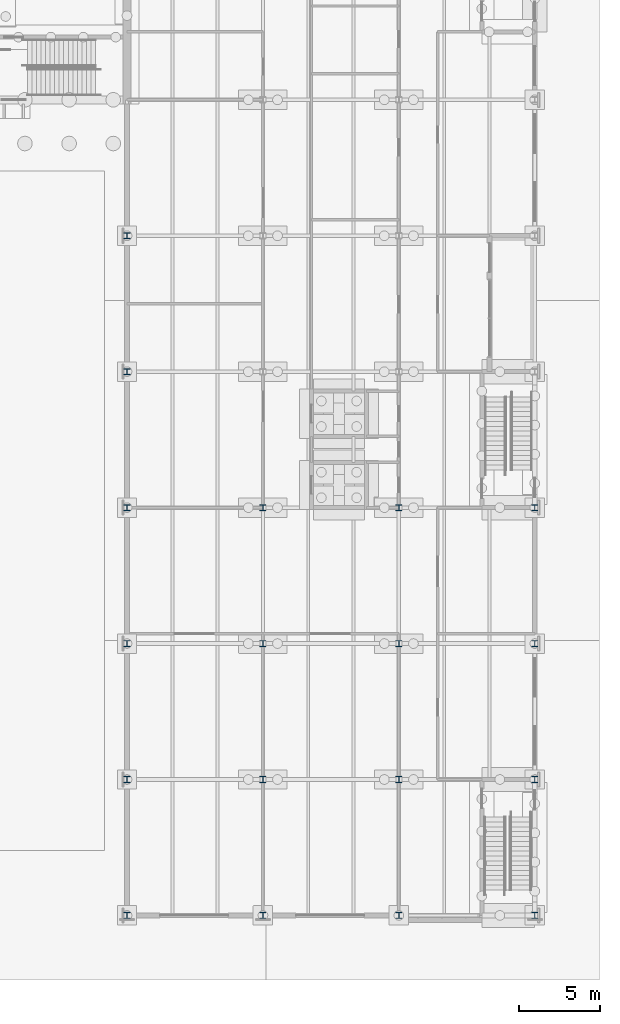
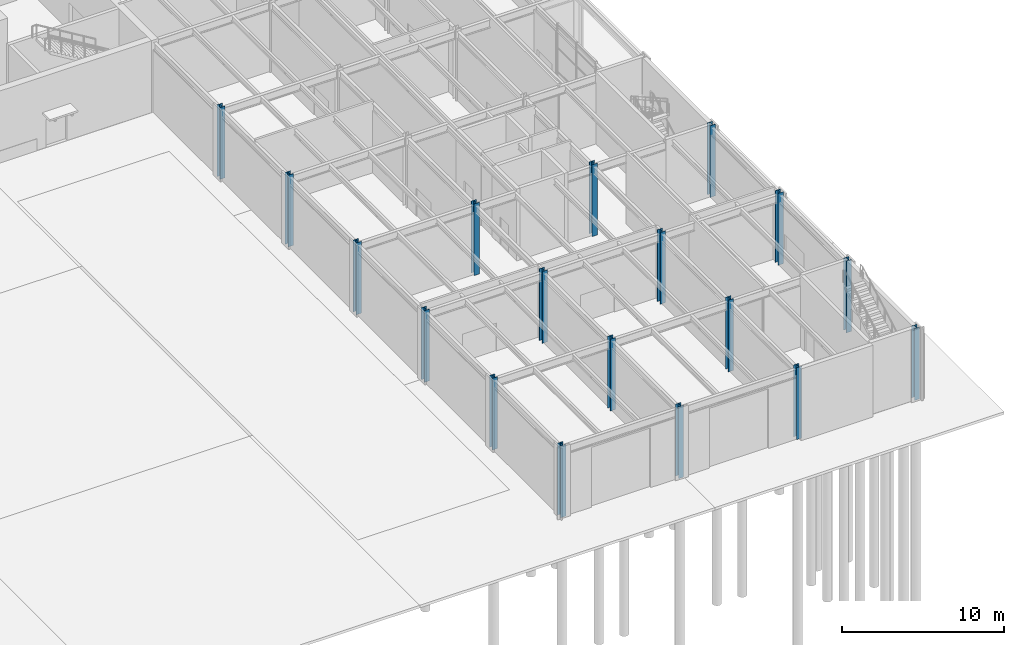
# One storey, part 20 of 127: 18 columns.
"""IFC4 building model written with IfcOpenShell, lengths in metres."""

from ifc_helpers import new_model, si_unit, direction, frame, origin, origin_2d, place, context, subcontext, project, spatial, i_section, extrude, material, material_profile, profile_set, type_object, element, save


model = new_model("IFC4")

# Units and contexts
model_context = context("Model", 3, precision=1e-05, world=origin(), true_north=direction((0.0, 1.0)))
body_context = subcontext(model_context, "Body", "Model", "MODEL_VIEW")
ifc_project = project(units=[si_unit("LENGTHUNIT", "METRE"), si_unit("AREAUNIT", "SQUARE_METRE"), si_unit("VOLUMEUNIT", "CUBIC_METRE"), si_unit("PLANEANGLEUNIT", "RADIAN"), si_unit("MASSUNIT", "GRAM", prefix="KILO")], contexts=[model_context])

# Site, building, storey
site_placement = place(None, origin())
site = spatial("IfcSite", under=ifc_project, at=site_placement, CompositionType="ELEMENT")
building_placement = place(site_placement, origin())
building = spatial("IfcBuilding", under=site, at=building_placement, Name="Ljudholm Concert House", CompositionType="ELEMENT")
storey_placement = place(building_placement, origin())
storey = spatial("IfcBuildingStorey", under=building, at=storey_placement, Name="L00", CompositionType="ELEMENT", Elevation=0.0)

# Columns
ifc_material = material(Name="Steel ASTM A992", Category="steel")
ifc_material_profile = material_profile(ifc_material, i_section(OverallWidth=0.373291015625, OverallDepth=0.373291015625, WebThickness=0.016357421875, FlangeThickness=0.026123046875, FilletRadius=0.01513671875, at=origin_2d()), Name="W14X132")
ifc_profile_set = profile_set([ifc_material_profile], Name="Steel ASTM A992")
column_type = type_object("IfcColumnType", Name="STEEL COLUMN W14X132", PredefinedType="COLUMN", material=ifc_profile_set)
for number, where, z_axis, x_axis, name in (
    (1, (96.39990234375, 4.0, 0.0), (0.0, 0.0, 1.0), (1.0, 0.0, 0.0), "Column BOH-L00-col-96.4-4"),
    (2, (96.39990234375, 12.39990234375, 0.0), (0.0, 0.0, 1.0), (1.0, 0.0, 0.0), "Column BOH-L00-col-96.4-12.4"),
    (3, (96.39990234375, 20.800048828125, 0.0), (0.0, 0.0, 1.0), (1.0, 0.0, 0.0), "Column BOH-L00-col-96.4-20.8"),
    (4, (96.39990234375, 29.199951171875, 0.0), (0.0, 0.0, 1.0), (1.0, 0.0, 0.0), "Column BOH-L00-col-96.4-29.2"),
    (5, (96.39990234375, 37.60009765625, 0.0), (0.0, 0.0, 1.0), (1.0, 0.0, 0.0), "Column BOH-L00-col-96.4-37.6"),
    (6, (96.39990234375, 46.0, 0.0), (0.0, 0.0, 1.0), (1.0, 0.0, 0.0), "Column BOH-L00-col-96.4-46"),
    (7, (104.800048828125, 4.0, 0.0), (0.0, 0.0, 1.0), (1.0, 0.0, 0.0), "Column BOH-L00-col-104.8-4"),
    (8, (104.800048828125, 12.39990234375, 0.0), (0.0, 0.0, 1.0), (1.0, 0.0, 0.0), "Column BOH-L00-col-104.8-12.4"),
    (9, (104.800048828125, 20.800048828125, 0.0), (0.0, 0.0, 1.0), (1.0, 0.0, 0.0), "Column BOH-L00-col-104.8-20.8"),
    (10, (104.800048828125, 29.199951171875, 0.0), (0.0, 0.0, 1.0), (1.0, 0.0, 0.0), "Column BOH-L00-col-104.8-29.2"),
    (11, (113.199951171875, 4.0, 0.0), (0.0, 0.0, 1.0), (1.0, 0.0, 0.0), "Column BOH-L00-col-113.2-4"),
    (12, (113.199951171875, 12.39990234375, 0.0), (0.0, 0.0, 1.0), (1.0, 0.0, 0.0), "Column BOH-L00-col-113.2-12.4"),
    (13, (113.199951171875, 20.800048828125, 0.0), (0.0, 0.0, 1.0), (1.0, 0.0, 0.0), "Column BOH-L00-col-113.2-20.8"),
    (14, (113.199951171875, 29.199951171875, 0.0), (0.0, 0.0, 1.0), (1.0, 0.0, 0.0), "Column BOH-L00-col-113.2-29.2"),
    (15, (121.60009765625, 4.0, 0.0), (0.0, 0.0, 1.0), (1.0, 0.0, 0.0), "Column BOH-L00-col-121.6-4"),
    (16, (121.60009765625, 12.39990234375, 0.0), (0.0, 0.0, 1.0), (1.0, 0.0, 0.0), "Column BOH-L00-col-121.6-12.4"),
    (17, (121.60009765625, 20.800048828125, 0.0), (0.0, 0.0, 1.0), (1.0, 0.0, 0.0), "Column BOH-L00-col-121.6-20.8"),
    (18, (121.60009765625, 29.199951171875, 0.0), (0.0, 0.0, 1.0), (1.0, 0.0, 0.0), "Column BOH-L00-col-121.6-29.2"),
):
    element("IfcColumn", number, at=place(storey_placement, frame(where, z_axis=z_axis, x_axis=x_axis)), inside=storey, type_object=column_type, Name=name, PredefinedType="COLUMN", context=body_context, shape_type="SweptSolid", body=[
        extrude(i_section(OverallWidth=0.373291015625, OverallDepth=0.373291015625, WebThickness=0.016357421875, FlangeThickness=0.026123046875, FilletRadius=0.01513671875, at=origin_2d()), origin(), (0.0, 0.0, 1.0), 5.39990234375),
    ])

save(model, "model.ifc")
